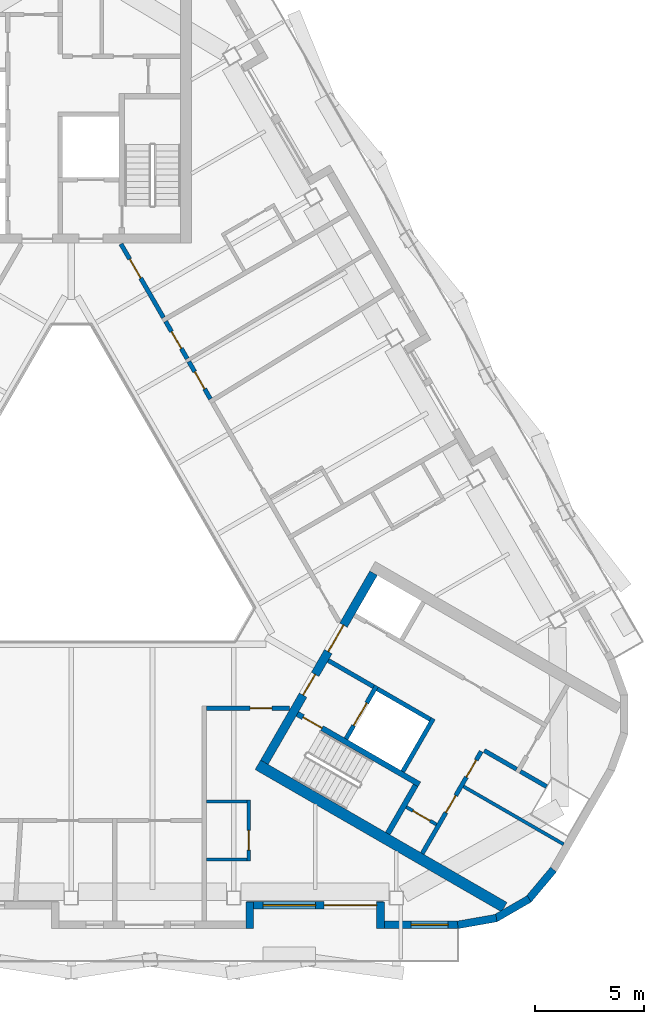
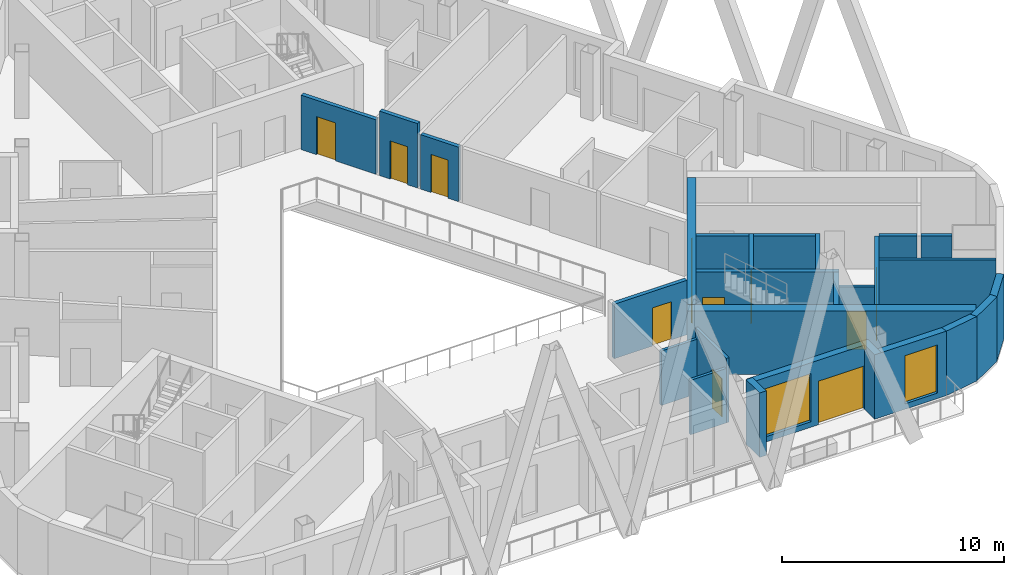
# One storey, part 5 of 14: 27 walls, 13 doors, 2 windows, 15 openings.
"""IFC4 building model written with IfcOpenShell, lengths in metres."""

from ifc_helpers import new_model, si_unit, direction, frame, frame_2d, origin, place, context, subcontext, project, spatial, rectangle, extrude, material, layer, layer_set, type_object, element, fill, save


model = new_model("IFC4")

# Units and contexts
model_context = context("Model", 3, precision=1e-05, world=origin(), true_north=direction((0.0, 1.0)))
body_context = subcontext(model_context, "Body", "Model", "MODEL_VIEW")
ifc_project = project(units=[si_unit("LENGTHUNIT", "METRE"), si_unit("AREAUNIT", "SQUARE_METRE"), si_unit("VOLUMEUNIT", "CUBIC_METRE"), si_unit("PLANEANGLEUNIT", "RADIAN"), si_unit("MASSUNIT", "GRAM", prefix="KILO")], contexts=[model_context])

# Site, building, storey
site_placement = place(None, origin())
site = spatial("IfcSite", under=ifc_project, at=site_placement, CompositionType="ELEMENT")
building_placement = place(site_placement, origin())
building = spatial("IfcBuilding", under=site, at=building_placement, Name="Apuvela Tower Hotel", CompositionType="ELEMENT")
storey_placement = place(building_placement, frame((0.0, 0.0, 268.89990234375)))
storey = spatial("IfcBuildingStorey", under=building, at=storey_placement, Name="L66", CompositionType="ELEMENT", Elevation=268.89990234375)

# Wall, openings, doors
ifc_material_1 = material(Name="Concrete C50/60", Category="concrete")
ifc_layer_1 = layer(ifc_material_1, 0.39990234375)
ifc_layer_set_1 = layer_set([ifc_layer_1], Name="COR-WALL-CORE-400")
wall_type_1 = type_object("IfcWallType", Name="COR-WALL-CORE-400", PredefinedType="SHEAR", material=ifc_layer_set_1)
wall_1_placement = place(storey_placement, frame((8.844970703125, -10.880126953125, 0.0), z_axis=(0.0, 0.0, 1.0), x_axis=(0.500004234368, 0.866022959057, 0.0)))
wall_1 = element("IfcWall", 1, at=wall_1_placement, inside=storey, type_object=wall_type_1, Name="Core wall SE", PredefinedType="SHEAR", context=body_context, shape_type="SweptSolid", body=[
    extrude(rectangle(XDim=10.0, YDim=0.39990234375, at=frame_2d((5.0, 0.0))), origin(), (0.0, 0.0, 1.0), 3.5),
])
opening_1_placement = place(wall_1_placement, frame((3.550048828125, 0.0, 0.0)))
opening_1 = element("IfcOpeningElement", 2, at=opening_1_placement, cuts=wall_1, Name="Opening E-FD", PredefinedType="OPENING", context=body_context, shape_type="SweptSolid", body=[
    extrude(rectangle(XDim=1.10009765625, YDim=2.10009765625, at=frame_2d((0.550048828125, 1.050048828125))), frame((0.0, 0.2099609375, 0.0), z_axis=(0.0, -1.0, 0.0), x_axis=(1.0, 0.0, 0.0)), (0.0, 0.0, 1.0), 0.419921875),
])
opening_2_placement = place(wall_1_placement, frame((5.85009765625, 0.0, 0.0)))
opening_2 = element("IfcOpeningElement", 3, at=opening_2_placement, cuts=wall_1, Name="Opening E-GD", PredefinedType="OPENING", context=body_context, shape_type="SweptSolid", body=[
    extrude(rectangle(XDim=1.39990234375, YDim=2.10009765625, at=frame_2d((0.699951171875, 1.050048828125))), frame((0.0, 0.2099609375, 0.0), z_axis=(0.0, -1.0, 0.0), x_axis=(1.0, 0.0, 0.0)), (0.0, 0.0, 1.0), 0.419921875),
])
ifc_material_2 = material(Name="Steel fire door, powder coated", Category="steel")
door_type_1 = type_object("IfcDoorType", Name="COR-FD-1100", OperationType="NOTDEFINED", PredefinedType="DOOR", material=ifc_material_2)
door_1_placement = place(opening_1_placement, frame((1.10009765625, 0.0, 0.0), z_axis=(0.0, 0.0, 1.0), x_axis=(-1.0, 0.0, 0.0)))
door_1 = element("IfcDoor", 4, at=door_1_placement, inside=storey, type_object=door_type_1, Name="Firefighting lobby door E-FD", OperationType="SINGLE_SWING_LEFT", OverallHeight=2.10009765625, OverallWidth=1.10009765625, PredefinedType="DOOR", context=body_context, shape_type="SweptSolid", body=[
    extrude(rectangle(XDim=1.10009765625, YDim=2.10009765625, at=frame_2d((0.550048828125, 1.050048828125))), frame((0.0, 0.02490234375, 0.0), z_axis=(0.0, -1.0, 0.0), x_axis=(1.0, 0.0, 0.0)), (0.0, 0.0, 1.0), 0.050048828125),
])
fill(opening_1, door_1)
ifc_material_3 = material(Name="Glazed steel fire door", Category="steel")
door_type_2 = type_object("IfcDoorType", Name="COR-GD-1400", OperationType="DOUBLE_DOOR_SINGLE_SWING", PredefinedType="DOOR", material=ifc_material_3)
door_2_placement = place(opening_2_placement, frame((1.39990234375, 0.0, 0.0), z_axis=(0.0, 0.0, 1.0), x_axis=(-1.0, 0.0, 0.0)))
door_2 = element("IfcDoor", 5, at=door_2_placement, inside=storey, type_object=door_type_2, Name="Lift lobby door E-GD", OperationType="DOUBLE_DOOR_SINGLE_SWING", OverallHeight=2.10009765625, OverallWidth=1.39990234375, PredefinedType="DOOR", context=body_context, shape_type="SweptSolid", body=[
    extrude(rectangle(XDim=1.39990234375, YDim=2.10009765625, at=frame_2d((0.699951171875, 1.050048828125))), frame((0.0, 0.02490234375, 0.0), z_axis=(0.0, -1.0, 0.0), x_axis=(1.0, 0.0, 0.0)), (0.0, 0.0, 1.0), 0.050048828125),
])
fill(opening_2, door_2)

# Wall
ifc_layer_2 = layer(ifc_material_1, 0.5)
ifc_layer_set_2 = layer_set([ifc_layer_2], Name="COR-WALL-CORE-500")
wall_type_2 = type_object("IfcWallType", Name="COR-WALL-CORE-500", PredefinedType="SHEAR", material=ifc_layer_set_2)
wall_2_placement = place(storey_placement, frame((8.546630859375, -10.99658203125, 0.0), z_axis=(0.0, 0.0, 1.0), x_axis=(0.866030218785, -0.499991660082, 0.0)))
element("IfcWall", 6, at=wall_2_placement, inside=storey, type_object=wall_type_2, Name="Core wall SE", PredefinedType="SHEAR", context=body_context, shape_type="SweptSolid", body=[
    extrude(rectangle(XDim=13.031494140625, YDim=0.5, at=frame_2d((6.515625, 0.0))), origin(), (0.0, 0.0, 1.0), 3.5),
])

# Wall, opening, door
ifc_material_4 = material(Name="Blockwork 150 mm plastered", Category="masonry")
ifc_layer_3 = layer(ifc_material_4, 0.14990234375)
ifc_layer_set_3 = layer_set([ifc_layer_3], Name="COR-WALL-PART-150")
wall_type_3 = type_object("IfcWallType", Name="COR-WALL-PART-150", PredefinedType="PARTITIONING", material=ifc_layer_set_3)
wall_3_placement = place(storey_placement, frame((15.341552734375, -12.927734375, 0.0), z_axis=(0.0, 0.0, 1.0), x_axis=(0.865989903783, -0.500061482766, 0.0)))
wall_3 = element("IfcWall", 7, at=wall_3_placement, inside=storey, type_object=wall_type_3, Name="Partition SE", PredefinedType="PARTITIONING", context=body_context, shape_type="SweptSolid", body=[
    extrude(rectangle(XDim=1.599853515625, YDim=0.14990234375, at=frame_2d((0.7998046875, 0.0))), origin(), (0.0, 0.0, 1.0), 3.5),
])
opening_3_placement = place(wall_3_placement, frame((0.35009765625, 0.0, 0.0)))
opening_3 = element("IfcOpeningElement", 8, at=opening_3_placement, cuts=wall_3, Name="Opening E-RD", PredefinedType="OPENING", context=body_context, shape_type="SweptSolid", body=[
    extrude(rectangle(XDim=0.89990234375, YDim=2.10009765625, at=frame_2d((0.449951171875, 1.050048828125))), frame((0.0, 0.0849609375, 0.0), z_axis=(0.0, -1.0, 0.0), x_axis=(1.0, 0.0, 0.0)), (0.0, 0.0, 1.0), 0.169921875),
])
ifc_material_5 = material(Name="Steel access door, powder coated", Category="steel")
door_type_3 = type_object("IfcDoorType", Name="COR-RD-900", OperationType="NOTDEFINED", PredefinedType="DOOR", material=ifc_material_5)
door_3_placement = place(opening_3_placement, frame((0.89990234375, 0.0, 0.0), z_axis=(0.0, 0.0, 1.0), x_axis=(-1.0, 0.0, 0.0)))
door_3 = element("IfcDoor", 9, at=door_3_placement, inside=storey, type_object=door_type_3, Name="Riser door E-RD", OperationType="SINGLE_SWING_LEFT", OverallHeight=2.10009765625, OverallWidth=0.89990234375, PredefinedType="DOOR", context=body_context, shape_type="SweptSolid", body=[
    extrude(rectangle(XDim=0.89990234375, YDim=2.10009765625, at=frame_2d((0.449951171875, 1.050048828125))), frame((0.0, 0.02490234375, 0.0), z_axis=(0.0, -1.0, 0.0), x_axis=(1.0, 0.0, 0.0)), (0.0, 0.0, 1.0), 0.050048828125),
])
fill(opening_3, door_3)

# Wall
wall_4_placement = place(storey_placement, frame((17.962890625, -11.9873046875, 0.0), z_axis=(0.0, 0.0, 1.0), x_axis=(0.866008903822, -0.500028577684, 0.0)))
element("IfcWall", 10, at=wall_4_placement, inside=storey, type_object=wall_type_3, Name="Partition SE", PredefinedType="PARTITIONING", context=body_context, shape_type="SweptSolid", body=[
    extrude(rectangle(XDim=5.292724609375, YDim=0.14990234375, at=frame_2d((2.646484375, 0.0))), origin(), (0.0, 0.0, 1.0), 3.5),
])

# Wall, openings, doors
ifc_material_6 = material(Name="Blockwork 200 mm plastered", Category="masonry")
ifc_layer_4 = layer(ifc_material_6, 0.199951171875)
ifc_layer_set_4 = layer_set([ifc_layer_4], Name="COR-WALL-PART-200")
wall_type_4 = type_object("IfcWallType", Name="COR-WALL-PART-200", PredefinedType="PARTITIONING", material=ifc_layer_set_4)
wall_5_placement = place(storey_placement, frame((16.076171875, -15.05517578125, 0.0), z_axis=(0.0, 0.0, 1.0), x_axis=(0.499995103361, 0.866028230842, 0.0)))
wall_5 = element("IfcWall", 11, at=wall_5_placement, inside=storey, type_object=wall_type_4, Name="Partition SE", PredefinedType="PARTITIONING", context=body_context, shape_type="SweptSolid", body=[
    extrude(rectangle(XDim=5.39990234375, YDim=0.199951171875, at=frame_2d((2.699951171875, 0.0))), origin(), (0.0, 0.0, 1.0), 3.5),
])
opening_4_placement = place(wall_5_placement, frame((2.16259765625, 0.0, 0.0)))
opening_4 = element("IfcOpeningElement", 12, at=opening_4_placement, cuts=wall_5, Name="Opening E-RS1", PredefinedType="OPENING", context=body_context, shape_type="SweptSolid", body=[
    extrude(rectangle(XDim=0.89990234375, YDim=2.10009765625, at=frame_2d((0.449951171875, 1.050048828125))), frame((0.0, 0.10986328125, 0.0), z_axis=(0.0, -1.0, 0.0), x_axis=(1.0, 0.0, 0.0)), (0.0, 0.0, 1.0), 0.219970703125),
])
opening_5_placement = place(wall_5_placement, frame((4.03759765625, 0.0, 0.0)))
opening_5 = element("IfcOpeningElement", 13, at=opening_5_placement, cuts=wall_5, Name="Opening E-RS2", PredefinedType="OPENING", context=body_context, shape_type="SweptSolid", body=[
    extrude(rectangle(XDim=0.89990234375, YDim=2.10009765625, at=frame_2d((0.449951171875, 1.050048828125))), frame((0.0, 0.10986328125, 0.0), z_axis=(0.0, -1.0, 0.0), x_axis=(1.0, 0.0, 0.0)), (0.0, 0.0, 1.0), 0.219970703125),
])
door_type_4 = type_object("IfcDoorType", Name="COR-DR-900", OperationType="NOTDEFINED", PredefinedType="DOOR", material=ifc_material_2)
door_4_placement = place(opening_4_placement, frame((0.89990234375, 0.0, 0.0), z_axis=(0.0, 0.0, 1.0), x_axis=(-1.0, 0.0, 0.0)))
door_4 = element("IfcDoor", 14, at=door_4_placement, inside=storey, type_object=door_type_4, Name="Store door E-RS1", OperationType="SINGLE_SWING_LEFT", OverallHeight=2.10009765625, OverallWidth=0.89990234375, PredefinedType="DOOR", context=body_context, shape_type="SweptSolid", body=[
    extrude(rectangle(XDim=0.89990234375, YDim=2.10009765625, at=frame_2d((0.449951171875, 1.050048828125))), frame((0.0, 0.02490234375, 0.0), z_axis=(0.0, -1.0, 0.0), x_axis=(1.0, 0.0, 0.0)), (0.0, 0.0, 1.0), 0.050048828125),
])
fill(opening_4, door_4)
door_5_placement = place(opening_5_placement, frame((0.89990234375, 0.0, 0.0), z_axis=(0.0, 0.0, 1.0), x_axis=(-1.0, 0.0, 0.0)))
door_5 = element("IfcDoor", 15, at=door_5_placement, inside=storey, type_object=door_type_4, Name="Store door E-RS2", OperationType="SINGLE_SWING_LEFT", OverallHeight=2.10009765625, OverallWidth=0.89990234375, PredefinedType="DOOR", context=body_context, shape_type="SweptSolid", body=[
    extrude(rectangle(XDim=0.89990234375, YDim=2.10009765625, at=frame_2d((0.449951171875, 1.050048828125))), frame((0.0, 0.02490234375, 0.0), z_axis=(0.0, -1.0, 0.0), x_axis=(1.0, 0.0, 0.0)), (0.0, 0.0, 1.0), 0.050048828125),
])
fill(opening_5, door_5)

# Wall
ifc_layer_5 = layer(ifc_material_1, 0.199951171875)
ifc_layer_set_5 = layer_set([ifc_layer_5], Name="COR-WALL-SHAFT-200")
wall_type_5 = type_object("IfcWallType", Name="COR-WALL-SHAFT-200", PredefinedType="SHEAR", material=ifc_layer_set_5)
wall_6_placement = place(storey_placement, frame((15.181396484375, -11.305419921875, 0.0), z_axis=(0.0, 0.0, 1.0), x_axis=(0.49994636267, 0.866056369097, 0.0)))
element("IfcWall", 16, at=wall_6_placement, inside=storey, type_object=wall_type_5, Name="Shaft wall SE", PredefinedType="SHEAR", context=body_context, shape_type="SweptSolid", body=[
    extrude(rectangle(XDim=2.800048828125, YDim=0.199951171875, at=frame_2d((1.39990234375, 0.0))), origin(), (0.0, 0.0, 1.0), 3.5),
])

# Wall, opening, door
wall_7_placement = place(storey_placement, frame((12.583251953125, -9.805419921875, 0.0), z_axis=(0.0, 0.0, 1.0), x_axis=(0.49994636267, 0.866056369097, 0.0)))
wall_7 = element("IfcWall", 17, at=wall_7_placement, inside=storey, type_object=wall_type_5, Name="Shaft wall SE", PredefinedType="SHEAR", context=body_context, shape_type="SweptSolid", body=[
    extrude(rectangle(XDim=2.800048828125, YDim=0.199951171875, at=frame_2d((1.39990234375, 0.0))), origin(), (0.0, 0.0, 1.0), 3.5),
])
opening_6_placement = place(wall_7_placement, frame((0.699951171875, 0.0, 0.0)))
opening_6 = element("IfcOpeningElement", 18, at=opening_6_placement, cuts=wall_7, Name="Opening E-LD-FS3", PredefinedType="OPENING", context=body_context, shape_type="SweptSolid", body=[
    extrude(rectangle(XDim=1.199951171875, YDim=2.10009765625, at=frame_2d((0.60009765625, 1.050048828125))), frame((0.0, 0.10986328125, 0.0), z_axis=(0.0, -1.0, 0.0), x_axis=(1.0, 0.0, 0.0)), (0.0, 0.0, 1.0), 0.219970703125),
])
ifc_material_7 = material(Name="Stainless steel lift landing door", Category="steel")
door_type_5 = type_object("IfcDoorType", Name="COR-LD-1200", OperationType="DOUBLE_DOOR_SLIDING", PredefinedType="DOOR", material=ifc_material_7)
door_6_placement = place(opening_6_placement, origin())
door_6 = element("IfcDoor", 19, at=door_6_placement, inside=storey, type_object=door_type_5, Name="Lift landing door E-LD-FS3", OperationType="DOUBLE_DOOR_SLIDING", OverallHeight=2.10009765625, OverallWidth=1.199951171875, PredefinedType="DOOR", context=body_context, shape_type="SweptSolid", body=[
    extrude(rectangle(XDim=1.199951171875, YDim=2.10009765625, at=frame_2d((0.60009765625, 1.050048828125))), frame((0.0, 0.02490234375, 0.0), z_axis=(0.0, -1.0, 0.0), x_axis=(1.0, 0.0, 0.0)), (0.0, 0.0, 1.0), 0.050048828125),
])
fill(opening_6, door_6)

# Walls
wall_8_placement = place(storey_placement, frame((11.76806640625, -6.217041015625, 0.0), z_axis=(0.0, 0.0, 1.0), x_axis=(0.866050077142, -0.499957262057, 0.0)))
element("IfcWall", 20, at=wall_8_placement, inside=storey, type_object=wall_type_5, Name="Shaft wall SE", PredefinedType="SHEAR", context=body_context, shape_type="SweptSolid", body=[
    extrude(rectangle(XDim=2.400146484375, YDim=0.199951171875, at=frame_2d((1.2001953125, 0.0))), origin(), (0.0, 0.0, 1.0), 3.5),
])
wall_9_placement = place(storey_placement, frame((14.019775390625, -7.51708984375, 0.0), z_axis=(0.0, 0.0, 1.0), x_axis=(0.866034573852, -0.49998411664, 0.0)))
element("IfcWall", 21, at=wall_9_placement, inside=storey, type_object=wall_type_5, Name="Shaft wall SE", PredefinedType="SHEAR", context=body_context, shape_type="SweptSolid", body=[
    extrude(rectangle(XDim=2.7998046875, YDim=0.199951171875, at=frame_2d((1.39990234375, 0.0))), origin(), (0.0, 0.0, 1.0), 3.5),
])
wall_10_placement = place(storey_placement, frame((18.912841796875, -10.342041015625, 0.0), z_axis=(0.0, 0.0, 1.0), x_axis=(0.866038183914, -0.499977863513, 0.0)))
element("IfcWall", 22, at=wall_10_placement, inside=storey, type_object=wall_type_5, Name="Shaft wall SE", PredefinedType="SHEAR", context=body_context, shape_type="SweptSolid", body=[
    extrude(rectangle(XDim=1.7099609375, YDim=0.199951171875, at=frame_2d((0.85498046875, 0.0))), origin(), (0.0, 0.0, 1.0), 3.5),
])
wall_11_placement = place(storey_placement, frame((20.56689453125, -11.297119140625, 0.0), z_axis=(0.0, 0.0, 1.0), x_axis=(0.866094443108, -0.499880401313, 0.0)))
element("IfcWall", 23, at=wall_11_placement, inside=storey, type_object=wall_type_5, Name="Shaft wall SE", PredefinedType="SHEAR", context=body_context, shape_type="SweptSolid", body=[
    extrude(rectangle(XDim=1.382568359375, YDim=0.199951171875, at=frame_2d((0.69140625, 0.0))), origin(), (0.0, 0.0, 1.0), 3.5),
])

# Wall, opening, door
ifc_layer_6 = layer(ifc_material_1, 0.25)
ifc_layer_set_6 = layer_set([ifc_layer_6], Name="COR-WALL-STAIR-250")
wall_type_6 = type_object("IfcWallType", Name="COR-WALL-STAIR-250", PredefinedType="SHEAR", material=ifc_layer_set_6)
wall_12_placement = place(storey_placement, frame((10.355712890625, -8.66357421875, 0.0), z_axis=(0.0, 0.0, 1.0), x_axis=(0.866028629588, -0.499994412703, 0.0)))
wall_12 = element("IfcWall", 24, at=wall_12_placement, inside=storey, type_object=wall_type_6, Name="Stair wall SE", PredefinedType="SHEAR", context=body_context, shape_type="SweptSolid", body=[
    extrude(rectangle(XDim=6.44970703125, YDim=0.25, at=frame_2d((3.224853515625, 0.0))), origin(), (0.0, 0.0, 1.0), 3.5),
])
opening_7_placement = place(wall_12_placement, frame((0.300048828125, 0.0, 0.0)))
opening_7 = element("IfcOpeningElement", 25, at=opening_7_placement, cuts=wall_12, Name="Opening E-SD", PredefinedType="OPENING", context=body_context, shape_type="SweptSolid", body=[
    extrude(rectangle(XDim=1.0, YDim=2.10009765625, at=frame_2d((0.5, 1.050048828125))), frame((0.0, 0.135009765625, 0.0), z_axis=(0.0, -1.0, 0.0), x_axis=(1.0, 0.0, 0.0)), (0.0, 0.0, 1.0), 0.27001953125),
])
door_type_6 = type_object("IfcDoorType", Name="COR-SD-1000", OperationType="NOTDEFINED", PredefinedType="DOOR", material=ifc_material_2)
door_7_placement = place(opening_7_placement, frame((1.0, 0.0, 0.0), z_axis=(0.0, 0.0, 1.0), x_axis=(-1.0, 0.0, 0.0)))
door_7 = element("IfcDoor", 26, at=door_7_placement, inside=storey, type_object=door_type_6, Name="Stair door E-SD", OperationType="SINGLE_SWING_LEFT", OverallHeight=2.10009765625, OverallWidth=1.0, PredefinedType="DOOR", context=body_context, shape_type="SweptSolid", body=[
    extrude(rectangle(XDim=1.0, YDim=2.10009765625, at=frame_2d((0.5, 1.050048828125))), frame((0.0, 0.02490234375, 0.0), z_axis=(0.0, -1.0, 0.0), x_axis=(1.0, 0.0, 0.0)), (0.0, 0.0, 1.0), 0.050048828125),
])
fill(opening_7, door_7)

# Walls
wall_13_placement = place(storey_placement, frame((14.49560546875, -14.142578125, 0.0), z_axis=(0.0, 0.0, 1.0), x_axis=(0.500062241894, 0.865989465428, 0.0)))
element("IfcWall", 27, at=wall_13_placement, inside=storey, type_object=wall_type_6, Name="Stair wall SE", PredefinedType="SHEAR", context=body_context, shape_type="SweptSolid", body=[
    extrude(rectangle(XDim=2.550048828125, YDim=0.25, at=frame_2d((1.27490234375, 0.0))), origin(), (0.0, 0.0, 1.0), 3.5),
])
ifc_material_8 = material(Name="Concrete C40/50, dark pigmented precast panel", Category="concrete")
ifc_layer_7 = layer(ifc_material_8, 0.35009765625)
ifc_layer_set_7 = layer_set([ifc_layer_7], Name="ENV-WALL-350")
wall_type_7 = type_object("IfcWallType", Name="ENV-WALL-350", PredefinedType="SOLIDWALL", material=ifc_layer_set_7)
wall_14_placement = place(storey_placement, frame((8.168701171875, -18.495849609375, 0.0), z_axis=(0.0, 0.0, 1.0), x_axis=(0.0, 1.0, 0.0)))
element("IfcWall", 28, at=wall_14_placement, inside=storey, type_object=wall_type_7, Name="External wall L66-22", PredefinedType="SOLIDWALL", context=body_context, shape_type="SweptSolid", body=[
    extrude(rectangle(XDim=1.219970703125, YDim=0.35009765625, at=frame_2d((0.60986328125, 0.0))), origin(), (0.0, 0.0, 1.0), 3.550048828125),
])

# Wall, openings, door, window
wall_15_placement = place(storey_placement, frame((8.023681640625, -17.4208984375, 0.0), z_axis=(0.0, 0.0, 1.0), x_axis=(1.0, 0.0, 0.0)))
wall_15 = element("IfcWall", 29, at=wall_15_placement, inside=storey, type_object=wall_type_7, Name="External wall L66-23", PredefinedType="SOLIDWALL", context=body_context, shape_type="SweptSolid", body=[
    extrude(rectangle(XDim=6.283447265625, YDim=0.35009765625, at=frame_2d((3.1416015625, 0.0))), origin(), (0.0, 0.0, 1.0), 3.550048828125),
])
opening_8_placement = place(wall_15_placement, frame((3.563232421875, 0.0, 0.0)))
opening_8 = element("IfcOpeningElement", 30, at=opening_8_placement, cuts=wall_15, Name="Opening BD24", PredefinedType="OPENING", context=body_context, shape_type="SweptSolid", body=[
    extrude(rectangle(XDim=2.39990234375, YDim=2.39990234375, at=frame_2d((1.199951171875, 1.199951171875))), frame((0.0, 0.18505859375, 0.0), z_axis=(0.0, -1.0, 0.0), x_axis=(1.0, 0.0, 0.0)), (0.0, 0.0, 1.0), 0.3701171875),
])
opening_9_placement = place(wall_15_placement, frame((0.77001953125, 0.0, 0.300048828125)))
opening_9 = element("IfcOpeningElement", 31, at=opening_9_placement, cuts=wall_15, Name="Opening WN24", PredefinedType="OPENING", context=body_context, shape_type="SweptSolid", body=[
    extrude(rectangle(XDim=2.39990234375, YDim=2.64990234375, at=frame_2d((1.199951171875, 1.324951171875))), frame((0.0, 0.18505859375, 0.0), z_axis=(0.0, -1.0, 0.0), x_axis=(1.0, 0.0, 0.0)), (0.0, 0.0, 1.0), 0.3701171875),
])
ifc_material_9 = material(Name="Aluminium 6063-T6, dark bronze anodised frame with dark tinted laminated glass", Category="aluminium")
door_type_7 = type_object("IfcDoorType", Name="ENV-DOOR-BALCONY-2400x2400", OperationType="SLIDING_TO_LEFT", PredefinedType="DOOR", material=ifc_material_9)
door_8_placement = place(opening_8_placement, frame((2.39990234375, 0.0, 0.0), z_axis=(0.0, 0.0, 1.0), x_axis=(-1.0, 0.0, 0.0)))
door_8 = element("IfcDoor", 32, at=door_8_placement, inside=storey, type_object=door_type_7, Name="Balcony door BD24", OperationType="SLIDING_TO_LEFT", OverallHeight=2.39990234375, OverallWidth=2.39990234375, PredefinedType="DOOR", context=body_context, shape_type="SweptSolid", body=[
    extrude(rectangle(XDim=2.39990234375, YDim=2.39990234375, at=frame_2d((1.199951171875, 1.199951171875))), frame((0.0, 0.02490234375, 0.0), z_axis=(0.0, -1.0, 0.0), x_axis=(1.0, 0.0, 0.0)), (0.0, 0.0, 1.0), 0.050048828125),
])
fill(opening_8, door_8)
ifc_material_10 = material(Name="Glass, dark tinted laminated insulated glazing unit", Category="glass")
window_type_1 = type_object("IfcWindowType", Name="ENV-WIN-2400x2650", PartitioningType="SINGLE_PANEL", PredefinedType="WINDOW", material=ifc_material_10)
window_1_placement = place(opening_9_placement, origin())
window_1 = element("IfcWindow", 33, at=window_1_placement, inside=storey, type_object=window_type_1, Name="Window WN24", OverallHeight=2.64990234375, OverallWidth=2.39990234375, PartitioningType="SINGLE_PANEL", PredefinedType="WINDOW", context=body_context, shape_type="SweptSolid", body=[
    extrude(rectangle(XDim=2.39990234375, YDim=2.64990234375, at=frame_2d((1.199951171875, 1.324951171875))), frame((0.0, 0.030029296875, 0.0), z_axis=(0.0, -1.0, 0.0), x_axis=(1.0, 0.0, 0.0)), (0.0, 0.0, 1.0), 0.06005859375),
])
fill(opening_9, window_1)

# Wall
wall_16_placement = place(storey_placement, frame((14.162109375, -17.27587890625, 0.0), z_axis=(0.0, 0.0, 1.0), x_axis=(0.0, -1.0, 0.0)))
element("IfcWall", 34, at=wall_16_placement, inside=storey, type_object=wall_type_7, Name="External wall L66-24", PredefinedType="SOLIDWALL", context=body_context, shape_type="SweptSolid", body=[
    extrude(rectangle(XDim=1.219970703125, YDim=0.35009765625, at=frame_2d((0.60986328125, 0.0))), origin(), (0.0, 0.0, 1.0), 3.550048828125),
])

# Wall, opening, window
wall_17_placement = place(storey_placement, frame((13.987060546875, -18.32080078125, 0.0), z_axis=(0.0, 0.0, 1.0), x_axis=(1.0, 0.0, 0.0)))
wall_17 = element("IfcWall", 35, at=wall_17_placement, inside=storey, type_object=wall_type_7, Name="External wall L66-25", PredefinedType="SOLIDWALL", context=body_context, shape_type="SweptSolid", body=[
    extrude(rectangle(XDim=3.74169921875, YDim=0.35009765625, at=frame_2d((1.870849609375, 0.0))), origin(), (0.0, 0.0, 1.0), 3.550048828125),
])
opening_10_placement = place(wall_17_placement, frame((1.57470703125, 0.0, 0.300048828125)))
opening_10 = element("IfcOpeningElement", 36, at=opening_10_placement, cuts=wall_17, Name="Opening WN17", PredefinedType="OPENING", context=body_context, shape_type="SweptSolid", body=[
    extrude(rectangle(XDim=1.699951171875, YDim=2.64990234375, at=frame_2d((0.85009765625, 1.324951171875))), frame((0.0, 0.18505859375, 0.0), z_axis=(0.0, -1.0, 0.0), x_axis=(1.0, 0.0, 0.0)), (0.0, 0.0, 1.0), 0.3701171875),
])
window_type_2 = type_object("IfcWindowType", Name="ENV-WIN-1700x2650", PartitioningType="SINGLE_PANEL", PredefinedType="WINDOW", material=ifc_material_10)
window_2_placement = place(opening_10_placement, origin())
window_2 = element("IfcWindow", 37, at=window_2_placement, inside=storey, type_object=window_type_2, Name="Window WN17", OverallHeight=2.64990234375, OverallWidth=1.699951171875, PartitioningType="SINGLE_PANEL", PredefinedType="WINDOW", context=body_context, shape_type="SweptSolid", body=[
    extrude(rectangle(XDim=1.699951171875, YDim=2.64990234375, at=frame_2d((0.85009765625, 1.324951171875))), frame((0.0, 0.030029296875, 0.0), z_axis=(0.0, -1.0, 0.0), x_axis=(1.0, 0.0, 0.0)), (0.0, 0.0, 1.0), 0.06005859375),
])
fill(opening_10, window_2)

# Walls
wall_18_placement = place(storey_placement, frame((17.6982421875, -18.323486328125, 0.0), z_axis=(0.0, 0.0, 1.0), x_axis=(0.984810858511, 0.173630564586, 0.0)))
element("IfcWall", 38, at=wall_18_placement, inside=storey, type_object=wall_type_7, Name="External wall L66-26", PredefinedType="SOLIDWALL", context=body_context, shape_type="SweptSolid", body=[
    extrude(rectangle(XDim=1.7998046875, YDim=0.35009765625, at=frame_2d((0.89990234375, 0.0))), origin(), (0.0, 0.0, 1.0), 3.550048828125),
])
wall_19_placement = place(storey_placement, frame((19.41357421875, -18.03173828125, 0.0), z_axis=(0.0, 0.0, 1.0), x_axis=(0.866047807691, 0.499961193289, 0.0)))
element("IfcWall", 39, at=wall_19_placement, inside=storey, type_object=wall_type_7, Name="External wall L66-27", PredefinedType="SOLIDWALL", context=body_context, shape_type="SweptSolid", body=[
    extrude(rectangle(XDim=1.800048828125, YDim=0.35009765625, at=frame_2d((0.89990234375, 0.0))), origin(), (0.0, 0.0, 1.0), 3.550048828125),
])
wall_20_placement = place(storey_placement, frame((20.92578125, -17.1708984375, 0.0), z_axis=(0.0, 0.0, 1.0), x_axis=(0.642756114672, 0.766070869471, 0.0)))
element("IfcWall", 40, at=wall_20_placement, inside=storey, type_object=wall_type_7, Name="External wall L66-28", PredefinedType="SOLIDWALL", context=body_context, shape_type="SweptSolid", body=[
    extrude(rectangle(XDim=1.799560546875, YDim=0.35009765625, at=frame_2d((0.89990234375, 0.0))), origin(), (0.0, 0.0, 1.0), 3.550048828125),
])

# Wall, opening, door
ifc_material_11 = material(Name="Gypsum board corridor wall on twin steel stud, acoustic", Category="steel")
ifc_layer_8 = layer(ifc_material_11, 0.199951171875)
ifc_layer_set_8 = layer_set([ifc_layer_8], Name="GST-PW2")
wall_type_8 = type_object("IfcWallType", Name="GST-PW2", PredefinedType="PARTITIONING", material=ifc_layer_set_8)
wall_21_placement = place(storey_placement, frame((9.98828125, -8.39990234375, 0.0), z_axis=(0.0, 0.0, 1.0), x_axis=(-1.0, 0.0, 0.0)))
wall_21 = element("IfcWall", 41, at=wall_21_placement, inside=storey, type_object=wall_type_8, Name="L66 partition 18", PredefinedType="PARTITIONING", context=body_context, shape_type="SweptSolid", body=[
    extrude(rectangle(XDim=3.788330078125, YDim=0.199951171875, at=frame_2d((1.89404296875, 0.0))), origin(), (0.0, 0.0, 1.0), 3.0),
])
opening_11_placement = place(wall_21_placement, frame((0.800048828125, 0.0, 0.0)))
opening_11 = element("IfcOpeningElement", 42, at=opening_11_placement, cuts=wall_21, Name="Opening GD26-07", PredefinedType="OPENING", context=body_context, shape_type="SweptSolid", body=[
    extrude(rectangle(XDim=1.0, YDim=2.10009765625, at=frame_2d((0.5, 1.050048828125))), frame((0.0, 0.10986328125, 0.0), z_axis=(0.0, -1.0, 0.0), x_axis=(1.0, 0.0, 0.0)), (0.0, 0.0, 1.0), 0.219970703125),
])
ifc_material_12 = material(Name="Timber door leaf in steel frame", Category="steel")
door_type_8 = type_object("IfcDoorType", Name="GST-D1", OperationType="NOTDEFINED", PredefinedType="DOOR", material=ifc_material_12)
door_9_placement = place(opening_11_placement, origin())
door_9 = element("IfcDoor", 43, at=door_9_placement, inside=storey, type_object=door_type_8, Name="Door L66-07", OperationType="SINGLE_SWING_RIGHT", OverallHeight=2.10009765625, OverallWidth=1.0, PredefinedType="DOOR", context=body_context, shape_type="SweptSolid", body=[
    extrude(rectangle(XDim=1.0, YDim=2.10009765625, at=frame_2d((0.5, 1.050048828125))), frame((0.0, 0.02490234375, 0.0), z_axis=(0.0, -1.0, 0.0), x_axis=(1.0, 0.0, 0.0)), (0.0, 0.0, 1.0), 0.050048828125),
])
fill(opening_11, door_9)

wall_22_placement = place(storey_placement, frame((5.3876953125, 7.468017578125, 0.0), z_axis=(0.0, 0.0, 1.0), x_axis=(0.500071767444, -0.865983964866, 0.0)))
wall_22 = element("IfcWall", 44, at=wall_22_placement, inside=storey, type_object=wall_type_8, Name="L66 partition 30", PredefinedType="PARTITIONING", context=body_context, shape_type="SweptSolid", body=[
    extrude(rectangle(XDim=1.976318359375, YDim=0.199951171875, at=frame_2d((0.98828125, 0.0))), origin(), (0.0, 0.0, 1.0), 3.0),
])
opening_12_placement = place(wall_22_placement, frame((0.5380859375, 0.0, 0.0)))
opening_12 = element("IfcOpeningElement", 45, at=opening_12_placement, cuts=wall_22, Name="Opening GD26-12", PredefinedType="OPENING", context=body_context, shape_type="SweptSolid", body=[
    extrude(rectangle(XDim=0.89990234375, YDim=2.10009765625, at=frame_2d((0.449951171875, 1.050048828125))), frame((0.0, 0.10986328125, 0.0), z_axis=(0.0, -1.0, 0.0), x_axis=(1.0, 0.0, 0.0)), (0.0, 0.0, 1.0), 0.219970703125),
])
door_type_9 = type_object("IfcDoorType", Name="GST-D2", OperationType="NOTDEFINED", PredefinedType="DOOR", material=ifc_material_12)
door_10_placement = place(opening_12_placement, origin())
door_10 = element("IfcDoor", 46, at=door_10_placement, inside=storey, type_object=door_type_9, Name="Door L66-12", OperationType="SINGLE_SWING_LEFT", OverallHeight=2.10009765625, OverallWidth=0.89990234375, PredefinedType="DOOR", context=body_context, shape_type="SweptSolid", body=[
    extrude(rectangle(XDim=0.89990234375, YDim=2.10009765625, at=frame_2d((0.449951171875, 1.050048828125))), frame((0.0, 0.02490234375, 0.0), z_axis=(0.0, -1.0, 0.0), x_axis=(1.0, 0.0, 0.0)), (0.0, 0.0, 1.0), 0.050048828125),
])
fill(opening_12, door_10)

wall_23_placement = place(storey_placement, frame((4.32470703125, 9.3095703125, 0.0), z_axis=(0.0, 0.0, 1.0), x_axis=(0.499925626596, -0.866068339032, 0.0)))
wall_23 = element("IfcWall", 47, at=wall_23_placement, inside=storey, type_object=wall_type_8, Name="L66 partition 31", PredefinedType="PARTITIONING", context=body_context, shape_type="SweptSolid", body=[
    extrude(rectangle(XDim=1.976318359375, YDim=0.199951171875, at=frame_2d((0.98828125, 0.0))), origin(), (0.0, 0.0, 1.0), 3.550048828125),
])
opening_13_placement = place(wall_23_placement, frame((0.5380859375, 0.0, 0.0)))
opening_13 = element("IfcOpeningElement", 48, at=opening_13_placement, cuts=wall_23, Name="Opening GD26-13", PredefinedType="OPENING", context=body_context, shape_type="SweptSolid", body=[
    extrude(rectangle(XDim=0.89990234375, YDim=2.10009765625, at=frame_2d((0.449951171875, 1.050048828125))), frame((0.0, 0.10986328125, 0.0), z_axis=(0.0, -1.0, 0.0), x_axis=(1.0, 0.0, 0.0)), (0.0, 0.0, 1.0), 0.219970703125),
])
door_11_placement = place(opening_13_placement, origin())
door_11 = element("IfcDoor", 49, at=door_11_placement, inside=storey, type_object=door_type_9, Name="Door L66-13", OperationType="SINGLE_SWING_RIGHT", OverallHeight=2.10009765625, OverallWidth=0.89990234375, PredefinedType="DOOR", context=body_context, shape_type="SweptSolid", body=[
    extrude(rectangle(XDim=0.89990234375, YDim=2.10009765625, at=frame_2d((0.449951171875, 1.050048828125))), frame((0.0, 0.02490234375, 0.0), z_axis=(0.0, -1.0, 0.0), x_axis=(1.0, 0.0, 0.0)), (0.0, 0.0, 1.0), 0.050048828125),
])
fill(opening_13, door_11)

wall_24_placement = place(storey_placement, frame((2.280517578125, 12.85009765625, 0.0), z_axis=(0.0, 0.0, 1.0), x_axis=(0.500008716408, -0.866020371305, 0.0)))
wall_24 = element("IfcWall", 50, at=wall_24_placement, inside=storey, type_object=wall_type_8, Name="L66 partition 32", PredefinedType="PARTITIONING", context=body_context, shape_type="SweptSolid", body=[
    extrude(rectangle(XDim=3.88818359375, YDim=0.199951171875, at=frame_2d((1.944091796875, 0.0))), origin(), (0.0, 0.0, 1.0), 3.0),
])
opening_14_placement = place(wall_24_placement, frame((0.800048828125, 0.0, 0.0)))
opening_14 = element("IfcOpeningElement", 51, at=opening_14_placement, cuts=wall_24, Name="Opening GD26-15", PredefinedType="OPENING", context=body_context, shape_type="SweptSolid", body=[
    extrude(rectangle(XDim=1.0, YDim=2.10009765625, at=frame_2d((0.5, 1.050048828125))), frame((0.0, 0.10986328125, 0.0), z_axis=(0.0, -1.0, 0.0), x_axis=(1.0, 0.0, 0.0)), (0.0, 0.0, 1.0), 0.219970703125),
])
door_12_placement = place(opening_14_placement, origin())
door_12 = element("IfcDoor", 52, at=door_12_placement, inside=storey, type_object=door_type_8, Name="Door L66-15", OperationType="SINGLE_SWING_RIGHT", OverallHeight=2.10009765625, OverallWidth=1.0, PredefinedType="DOOR", context=body_context, shape_type="SweptSolid", body=[
    extrude(rectangle(XDim=1.0, YDim=2.10009765625, at=frame_2d((0.5, 1.050048828125))), frame((0.0, 0.02490234375, 0.0), z_axis=(0.0, -1.0, 0.0), x_axis=(1.0, 0.0, 0.0)), (0.0, 0.0, 1.0), 0.050048828125),
])
fill(opening_14, door_12)

ifc_material_13 = material(Name="Moisture-resistant gypsum board wet wall on steel stud", Category="steel")
ifc_layer_9 = layer(ifc_material_13, 0.14990234375)
ifc_layer_set_9 = layer_set([ifc_layer_9], Name="GST-PW3")
wall_type_9 = type_object("IfcWallType", Name="GST-PW3", PredefinedType="PARTITIONING", material=ifc_layer_set_9)
wall_25_placement = place(storey_placement, frame((8.125, -15.39990234375, 0.0), z_axis=(0.0, 0.0, 1.0), x_axis=(0.0, 1.0, 0.0)))
wall_25 = element("IfcWall", 53, at=wall_25_placement, inside=storey, type_object=wall_type_9, Name="L66 partition 19", PredefinedType="PARTITIONING", context=body_context, shape_type="SweptSolid", body=[
    extrude(rectangle(XDim=2.7998046875, YDim=0.14990234375, at=frame_2d((1.39990234375, 0.0))), origin(), (0.0, 0.0, 1.0), 3.550048828125),
])
opening_15_placement = place(wall_25_placement, frame((0.5, 0.0, 0.0)))
opening_15 = element("IfcOpeningElement", 54, at=opening_15_placement, cuts=wall_25, Name="Opening GD26-06", PredefinedType="OPENING", context=body_context, shape_type="SweptSolid", body=[
    extrude(rectangle(XDim=0.89990234375, YDim=2.10009765625, at=frame_2d((0.449951171875, 1.050048828125))), frame((0.0, 0.0849609375, 0.0), z_axis=(0.0, -1.0, 0.0), x_axis=(1.0, 0.0, 0.0)), (0.0, 0.0, 1.0), 0.169921875),
])
door_13_placement = place(opening_15_placement, origin())
door_13 = element("IfcDoor", 55, at=door_13_placement, inside=storey, type_object=door_type_9, Name="Door L66-06", OperationType="SINGLE_SWING_LEFT", OverallHeight=2.10009765625, OverallWidth=0.89990234375, PredefinedType="DOOR", context=body_context, shape_type="SweptSolid", body=[
    extrude(rectangle(XDim=0.89990234375, YDim=2.10009765625, at=frame_2d((0.449951171875, 1.050048828125))), frame((0.0, 0.02490234375, 0.0), z_axis=(0.0, -1.0, 0.0), x_axis=(1.0, 0.0, 0.0)), (0.0, 0.0, 1.0), 0.050048828125),
])
fill(opening_15, door_13)

# Walls
for number, where, z_axis, x_axis, name in (
    (56, (6.199951171875, -15.324951171875, 0.0), (0.0, 0.0, 1.0), (1.0, 0.0, 0.0), "L66 partition 20"),
    (57, (6.199951171875, -12.675048828125, 0.0), (0.0, 0.0, 1.0), (1.0, 0.0, 0.0), "L66 partition 21"),
):
    element("IfcWall", number, at=place(storey_placement, frame(where, z_axis=z_axis, x_axis=x_axis)), inside=storey, type_object=wall_type_9, Name=name, PredefinedType="PARTITIONING", context=body_context, shape_type="SweptSolid", body=[
        extrude(rectangle(XDim=1.85009765625, YDim=0.14990234375, at=frame_2d((0.925048828125, 0.0))), origin(), (0.0, 0.0, 1.0), 3.0),
    ])

save(model, "model.ifc")
